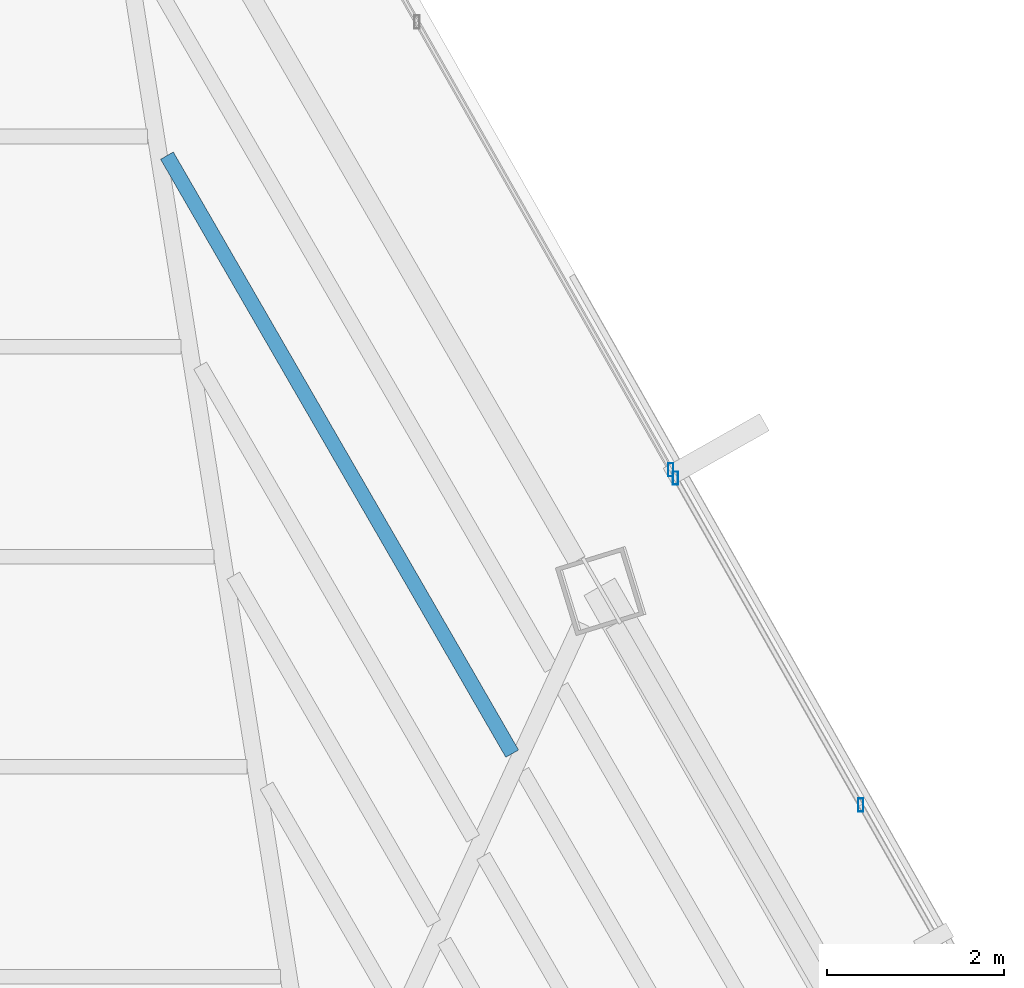
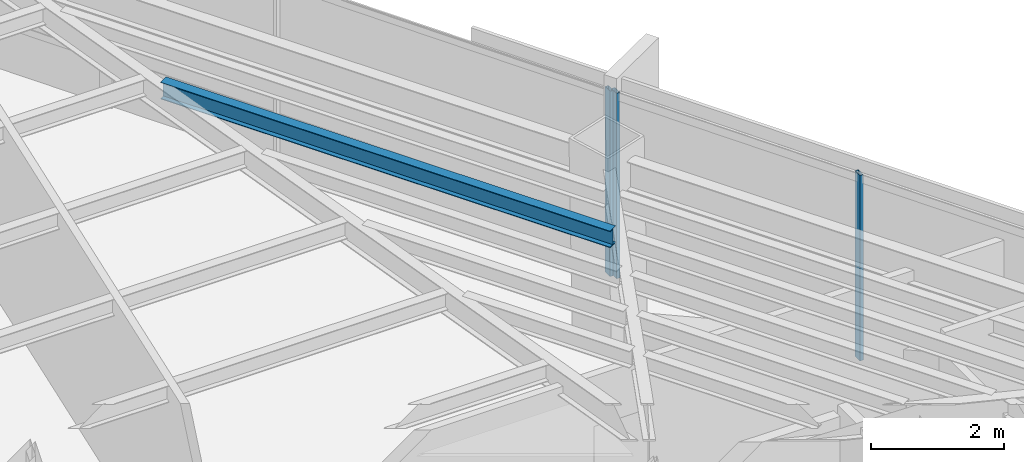
# One storey, part 28 of 41: 3 members, 1 beam, 2 elements without a shape of their own.
"""IFC4 building model written with IfcOpenShell, lengths in metres."""

from ifc_helpers import new_model, si_unit, direction, frame, origin, origin_2d, place, context, subcontext, project, spatial, hollow_rectangle, i_section, extrude, source, transform, mapped, material, material_profile, profile_set, type_object, type_shapes, element, aggregate, save


model = new_model("IFC4")

# Units and contexts
model_context = context("Model", 3, precision=1e-05, world=origin(), true_north=direction((0.0, 1.0)))
body_context = subcontext(model_context, "Body", "Model", "MODEL_VIEW")
ifc_project = project(units=[si_unit("LENGTHUNIT", "METRE"), si_unit("AREAUNIT", "SQUARE_METRE"), si_unit("VOLUMEUNIT", "CUBIC_METRE"), si_unit("PLANEANGLEUNIT", "RADIAN"), si_unit("MASSUNIT", "GRAM", prefix="KILO")], contexts=[model_context])

# Site, building, storey
site_placement = place(None, origin())
site = spatial("IfcSite", under=ifc_project, at=site_placement, CompositionType="ELEMENT")
building_placement = place(site_placement, origin())
building = spatial("IfcBuilding", under=site, at=building_placement, Name="Caelisora Broadcast Tower", CompositionType="ELEMENT")
storey_placement = place(building_placement, frame((0.0, 0.0, 209.60009765625)))
storey = spatial("IfcBuildingStorey", under=building, at=storey_placement, Name="L55", CompositionType="ELEMENT", Elevation=209.60009765625)

# Beam
ifc_material_1 = material(Name="Steel Grade 350 (AS/NZS 3679.1)", Category="steel")
ifc_material_profile_1 = material_profile(ifc_material_1, i_section(OverallWidth=0.166015625, OverallDepth=0.30712890625, WebThickness=0.006591796875, FlangeThickness=0.01171875, at=origin_2d()), Name="Steel Grade 350 (AS/NZS 3679.1)")
ifc_profile_set_1 = profile_set([ifc_material_profile_1], Name="Steel Grade 350 (AS/NZS 3679.1)")
beam_type = type_object("IfcBeamType", Name="SB03", PredefinedType="JOIST", material=ifc_profile_set_1)
shared_shape_1 = source(origin(), body_context, "Body", "SweptSolid", [
    extrude(i_section(OverallWidth=0.166015625, OverallDepth=0.30712890625, WebThickness=0.006591796875, FlangeThickness=0.01171875, at=origin_2d()), origin(), (0.0, 0.0, 1.0), 7.7958984375),
])
type_shapes(beam_type, [shared_shape_1])
beam_placement = place(storey_placement, frame((47.6484375, 34.8896484375, 3.246337890625), z_axis=(-0.499998958472, 0.86602600511, 0.0), x_axis=(-0.86602600511, -0.499998958472, 0.0)))
element("IfcBeam", 1, at=beam_placement, inside=storey, type_object=beam_type, Name="L55 beam SB03", PredefinedType="JOIST", context=body_context, shape_type="MappedRepresentation", body=[
    mapped(shared_shape_1, transform((0.0, 0.0, 0.0), scale=1.0)),
])

# Curtain wall, member
ifc_material_2 = material(Name="Unitised Aluminium and Low-E Glass Curtain Wall", Category="glass")
curtain_wall_type_1 = type_object("IfcCurtainWallType", Name="CW-Z4", PredefinedType="NOTDEFINED", material=ifc_material_2)
curtain_wall_1_placement = place(storey_placement, origin())
curtain_wall_1 = element("IfcCurtainWall", 2, at=curtain_wall_1_placement, inside=storey, type_object=curtain_wall_type_1, Name="L55 curtain wall CW-Z4", PredefinedType="NOTDEFINED")
ifc_material_3 = material(Name="Aluminium 6063-T6 Anodised Terracotta Bronze", Category="aluminium")
ifc_material_profile_2 = material_profile(ifc_material_3, hollow_rectangle(XDim=0.06005859375, YDim=0.14990234375, WallThickness=0.00341796875, at=origin_2d()), Name="Aluminium 6063-T6 Anodised Terracotta Bronze")
ifc_profile_set_2 = profile_set([ifc_material_profile_2], Name="Aluminium 6063-T6 Anodised Terracotta Bronze")
member_type = type_object("IfcMemberType", Name="CWM-03", PredefinedType="MULLION", material=ifc_profile_set_2)
shared_shape_2 = source(origin(), body_context, "Body", "SweptSolid", [
    extrude(hollow_rectangle(XDim=0.06005859375, YDim=0.14990234375, WallThickness=0.00341796875, at=origin_2d()), origin(), (0.0, 0.0, 1.0), 3.39990234375),
])
type_shapes(member_type, [shared_shape_2])
member_1_placement = place(storey_placement, frame((49.4375, 38.095703125, 0.0), z_axis=(0.0, 0.0, 1.0), x_axis=(1.0, 0.0, 0.0)))
member_1 = element("IfcMember", 3, at=member_1_placement, type_object=member_type, Name="L55-CW-B01 mullion #3", PredefinedType="MULLION", context=body_context, shape_type="MappedRepresentation", body=[
    mapped(shared_shape_2, transform((0.0, 0.0, 0.0), scale=1.0)),
])
aggregate(curtain_wall_1, [member_1])

# Curtain wall, members
ifc_material_4 = material(Name="Unitised Aluminium Insulated Shadow-Box Spandrel Curtain Wall", Category="aluminium")
curtain_wall_type_2 = type_object("IfcCurtainWallType", Name="CW-SP2", PredefinedType="NOTDEFINED", material=ifc_material_4)
curtain_wall_2_placement = place(storey_placement, origin())
curtain_wall_2 = element("IfcCurtainWall", 4, at=curtain_wall_2_placement, inside=storey, type_object=curtain_wall_type_2, Name="L55 curtain wall CW-SP2", PredefinedType="NOTDEFINED")
member_2_placement = place(storey_placement, frame((49.49169921875, 38.0, 0.0), z_axis=(0.0, 0.0, 1.0), x_axis=(1.0, 0.0, 0.0)))
member_2 = element("IfcMember", 5, at=member_2_placement, type_object=member_type, Name="L55-CW-B02 mullion #0", PredefinedType="MULLION", context=body_context, shape_type="MappedRepresentation", body=[
    mapped(shared_shape_2, transform((0.0, 0.0, 0.0), scale=1.0)),
])
member_3_placement = place(storey_placement, frame((51.58349609375, 34.30859375, 0.0), z_axis=(0.0, 0.0, 1.0), x_axis=(1.0, 0.0, 0.0)))
member_3 = element("IfcMember", 6, at=member_3_placement, type_object=member_type, Name="L55-CW-B02 mullion #1", PredefinedType="MULLION", context=body_context, shape_type="MappedRepresentation", body=[
    mapped(shared_shape_2, transform((0.0, 0.0, 0.0), scale=1.0)),
])
aggregate(curtain_wall_2, [member_2, member_3])

save(model, "model.ifc")
